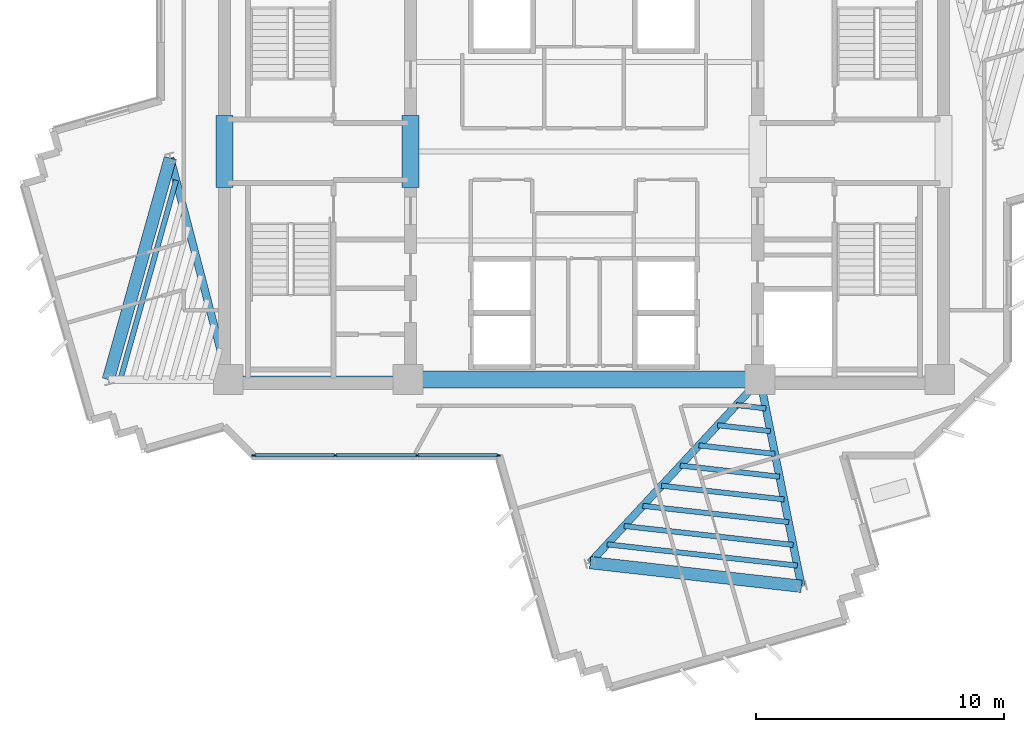
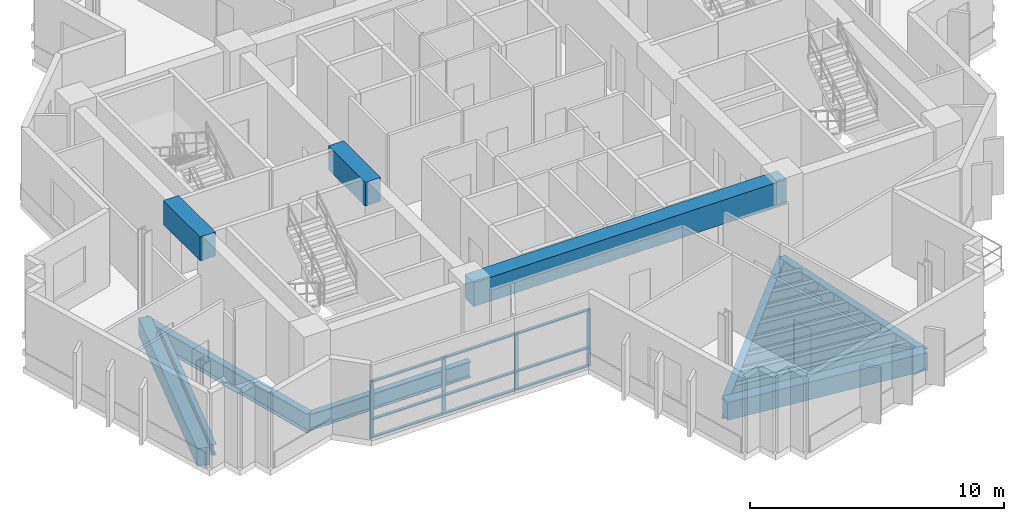
# One storey, part 2 of 14: 18 beams, 13 members, 1 element without a shape of its own.
"""IFC4 building model written with IfcOpenShell, lengths in metres."""

import ifcopenshell
import ifcopenshell.guid

model = None  # the IFC model being written
_history = None  # IfcOwnerHistory: only IFC2X3 demands one
_inside = {}  # id of a spatial element -> (the spatial element, [elements in it])
_under = {}  # id of a project, library or spatial element -> (it, [spatial elements below it])
_declared = {}  # id of a project -> (the project, [libraries it declares])
_typed = {}  # id of a type object -> (the type object, [elements of that type])
_made_of = {}  # id of a material, layer set ... -> (it, [elements and type objects made of it])


def new_model(schema):
    """Start an empty IFC model of exactly this schema.

    Asked for "IFC4X3", IfcOpenShell would pick the latest addendum, in which some entities
    have other attributes; the version numbers below select the first issue.
    IFC2X3 requires an IfcOwnerHistory on every rooted entity: one is made here for all.
    """
    global model, _history
    if schema == "IFC4X3":
        model = ifcopenshell.file(schema_version=(4, 3, 0, 0))
    else:
        model = ifcopenshell.file(schema=schema)
    _inside.clear()
    _under.clear()
    _declared.clear()
    _typed.clear()
    _made_of.clear()
    _history = None
    if model.schema == "IFC2X3":
        org = make("IfcOrganization", Name="unknown")
        user = make(
            "IfcPersonAndOrganization",
            ThePerson=make("IfcPerson", FamilyName="unknown"),
            TheOrganization=org,
        )
        app = make(
            "IfcApplication",
            ApplicationDeveloper=org,
            Version="unknown",
            ApplicationFullName="unknown",
            ApplicationIdentifier="unknown",
        )
        _history = make(
            "IfcOwnerHistory",
            OwningUser=user,
            OwningApplication=app,
            ChangeAction="ADDED",
            CreationDate=0,
        )
    return model


def make(cls, **values):
    """One entity of the class cls with the attributes given. An attribute that is None is left unset."""
    return model.create_entity(
        cls, **{name: value for name, value in values.items() if value is not None}
    )


def rooted(cls, **values):
    """An entity with a GlobalId (a new one), such as an element, a storey or a relation."""
    return make(cls, GlobalId=ifcopenshell.guid.new(), OwnerHistory=_history, **values)


def si_unit(unit_type, name, prefix=None):
    """IfcSIUnit, for example si_unit("LENGTHUNIT", "METRE", prefix="MILLI")."""
    return make("IfcSIUnit", UnitType=unit_type, Prefix=prefix, Name=name)


def assignment(units):
    """IfcUnitAssignment: the units of a project."""
    return None if units is None else make("IfcUnitAssignment", Units=units)


def point(xyz):
    """IfcCartesianPoint."""
    return None if xyz is None else make("IfcCartesianPoint", Coordinates=xyz)


def direction(xyz):
    """IfcDirection."""
    return None if xyz is None else make("IfcDirection", DirectionRatios=xyz)


def frame(location, z_axis=None, x_axis=None):
    """IfcAxis2Placement3D, a coordinate frame: its origin and axes. An axis left out is left unset."""
    return make(
        "IfcAxis2Placement3D",
        Location=point(location),
        Axis=direction(z_axis),
        RefDirection=direction(x_axis),
    )


def frame_2d(location, x_axis=None):
    """IfcAxis2Placement2D, a coordinate frame in the plane: its origin and x axis."""
    return make(
        "IfcAxis2Placement2D", Location=point(location), RefDirection=direction(x_axis)
    )


def origin():
    """The frame at (0, 0, 0) with its axes left unset."""
    return frame((0.0, 0.0, 0.0))


def origin_2d():
    """The frame at (0, 0) in the plane with its x axis left unset."""
    return frame_2d((0.0, 0.0))


def place(relative_to, where):
    """IfcLocalPlacement: puts the frame where relative to a parent placement (None: the world)."""
    return make(
        "IfcLocalPlacement", PlacementRelTo=relative_to, RelativePlacement=where
    )


def context(
    kind, dimensions, precision=None, world=None, true_north=None, identifier=None
):
    """IfcGeometricRepresentationContext, for example the 3D "Model" context."""
    return make(
        "IfcGeometricRepresentationContext",
        ContextIdentifier=identifier,
        ContextType=kind,
        CoordinateSpaceDimension=dimensions,
        Precision=precision,
        WorldCoordinateSystem=world,
        TrueNorth=true_north,
    )


def subcontext(parent, identifier, kind, view, scale=None):
    """IfcGeometricRepresentationSubContext, for example "Body" below "Model"."""
    return make(
        "IfcGeometricRepresentationSubContext",
        ContextIdentifier=identifier,
        ContextType=kind,
        ParentContext=parent,
        TargetScale=scale,
        TargetView=view,
    )


def project(units=None, contexts=None):
    """IfcProject with its units and contexts."""
    return rooted(
        "IfcProject",
        Name="project",
        RepresentationContexts=contexts,
        UnitsInContext=assignment(units),
    )


def spatial(cls, under=None, at=None, **own):
    """A site, building, storey or space (cls), placed at a placement, below another one or the project."""
    s = rooted(cls, ObjectPlacement=at, **own)
    if under is not None:
        _under.setdefault(under.id(), (under, []))[1].append(s)
    return s


def profile(cls, at=None, kind="AREA", **sizes):
    """A parametric profile (cls). Its sizes go by their IFC names, for example OverallWidth=200.0."""
    return make(cls, ProfileType=kind, Position=at, **sizes)


def rectangle(**sizes):
    """IfcRectangleProfileDef."""
    return profile("IfcRectangleProfileDef", **sizes)


def i_section(**sizes):
    """IfcIShapeProfileDef."""
    return profile("IfcIShapeProfileDef", **sizes)


def extrude(swept, where, along, depth):
    """IfcExtrudedAreaSolid: the profile swept, set in the frame where, extruded along a direction by depth."""
    return make(
        "IfcExtrudedAreaSolid",
        SweptArea=swept,
        Position=where,
        ExtrudedDirection=direction(along),
        Depth=depth,
    )


def shape(context_of_items, identifier, shape_type, items):
    """IfcShapeRepresentation: the items that make up one representation, for example the "Body"."""
    return make(
        "IfcShapeRepresentation",
        ContextOfItems=context_of_items,
        RepresentationIdentifier=identifier,
        RepresentationType=shape_type,
        Items=items,
    )


def source(mapping_origin, context_of_items, identifier, shape_type, items):
    """IfcRepresentationMap: a shape defined once, which mapped items show again and again."""
    return make(
        "IfcRepresentationMap",
        MappingOrigin=mapping_origin,
        MappedRepresentation=shape(context_of_items, identifier, shape_type, items),
    )


def transform(
    local_origin,
    x_axis=None,
    y_axis=None,
    z_axis=None,
    scale=None,
    scale2=None,
    scale3=None,
    uniform=True,
):
    """IfcCartesianTransformationOperator3D, or its non-uniform kind. x_axis, y_axis, z_axis: its Axis1, 2, 3."""
    if uniform:
        return make(
            "IfcCartesianTransformationOperator3D",
            Axis1=direction(x_axis),
            Axis2=direction(y_axis),
            LocalOrigin=point(local_origin),
            Scale=scale,
            Axis3=direction(z_axis),
        )
    return make(
        "IfcCartesianTransformationOperator3DnonUniform",
        Axis1=direction(x_axis),
        Axis2=direction(y_axis),
        LocalOrigin=point(local_origin),
        Scale=scale,
        Axis3=direction(z_axis),
        Scale2=scale2,
        Scale3=scale3,
    )


def mapped(mapping_source, mapping_target):
    """IfcMappedItem: shows the shape of a source again, moved by a transform."""
    return make(
        "IfcMappedItem", MappingSource=mapping_source, MappingTarget=mapping_target
    )


def material(Name=None, Category=None):
    """IfcMaterial."""
    return make("IfcMaterial", Name=Name, Category=Category)


def layer(
    of_material, thickness, ventilated=None, Name=None, Category=None, Priority=None
):
    """IfcMaterialLayer: one layer of a wall or slab, of a material (None: an air gap)."""
    return make(
        "IfcMaterialLayer",
        Material=of_material,
        LayerThickness=thickness,
        IsVentilated=ventilated,
        Name=Name,
        Category=Category,
        Priority=Priority,
    )


def layer_set(layers, Name=None):
    """IfcMaterialLayerSet."""
    return make("IfcMaterialLayerSet", MaterialLayers=layers, LayerSetName=Name)


def material_profile(
    of_material, cross_section, Name=None, Category=None, Priority=None
):
    """IfcMaterialProfile: a cross section and its material."""
    return make(
        "IfcMaterialProfile",
        Name=Name,
        Material=of_material,
        Profile=cross_section,
        Priority=Priority,
        Category=Category,
    )


def profile_set(profiles, Name=None, composite=None):
    """IfcMaterialProfileSet."""
    return make(
        "IfcMaterialProfileSet",
        Name=Name,
        MaterialProfiles=profiles,
        CompositeProfile=composite,
    )


def made_of(thing, what):
    """Note that an element or type object is made of a material, layer set ...; save() writes the relation."""
    if what is not None:
        _made_of.setdefault(what.id(), (what, []))[1].append(thing)
    return thing


def type_object(cls, material=None, **own):
    """A type object (cls), such as IfcWallType, which elements share."""
    return made_of(rooted(cls, **own), material)


def element(
    cls,
    number,
    at=None,
    inside=None,
    cuts=None,
    type_object=None,
    material=None,
    context=None,
    identifier="Body",
    shape_type=None,
    held_by="IfcProductDefinitionShape",
    body=None,
    shapes=None,
    **own,
):
    """One element of the class cls, such as IfcWall. Its Tag is "e" and its number.

    at: its placement. inside: the storey or other place that contains it. cuts: it is an
    opening in that element (IfcRelVoidsElement). A single representation is given by context,
    identifier, shape_type and body (its items); several are given by shapes. held_by: the class
    of the entity that holds the representations. save() writes the other relations.
    """
    e = rooted(cls, Tag="e%d" % number, ObjectPlacement=at, **own)
    if body is not None:
        shapes = [shape(context, identifier, shape_type, body)]
    if shapes is not None:
        e.Representation = make(held_by, Representations=shapes)
    if inside is not None:
        _inside.setdefault(inside.id(), (inside, []))[1].append(e)
    if cuts is not None:
        rooted(
            "IfcRelVoidsElement", RelatingBuildingElement=cuts, RelatedOpeningElement=e
        )
    if type_object is not None:
        _typed.setdefault(type_object.id(), (type_object, []))[1].append(e)
    return made_of(e, material)


def aggregate(whole, parts):
    """IfcRelAggregates: a whole, such as a stair, and the parts it consists of."""
    return rooted("IfcRelAggregates", RelatingObject=whole, RelatedObjects=parts)


def save(model, path):
    """Write the relations noted so far, then the file.

    IfcRelAggregates (storeys below a building ...), IfcRelContainedInSpatialStructure (elements
    in a storey), IfcRelDefinesByType, IfcRelAssociatesMaterial and IfcRelDeclares: one each for
    every whole, place, type object, material and project.
    """
    for whole, parts in _under.values():
        aggregate(whole, parts)
    for where, things in _inside.values():
        rooted(
            "IfcRelContainedInSpatialStructure",
            RelatedElements=things,
            RelatingStructure=where,
        )
    for kind, things in _typed.values():
        rooted("IfcRelDefinesByType", RelatedObjects=things, RelatingType=kind)
    for what, things in _made_of.values():
        rooted("IfcRelAssociatesMaterial", RelatedObjects=things, RelatingMaterial=what)
    for by, libraries in _declared.values():
        rooted("IfcRelDeclares", RelatingContext=by, RelatedDefinitions=libraries)
    model.write(path)


model = new_model("IFC4")

# Units and contexts
model_context = context("Model", 3, precision=1e-05, world=origin(), true_north=direction((0.0, 1.0)))
body_context = subcontext(model_context, "Body", "Model", "MODEL_VIEW")
ifc_project = project(units=[si_unit("LENGTHUNIT", "METRE"), si_unit("AREAUNIT", "SQUARE_METRE"), si_unit("VOLUMEUNIT", "CUBIC_METRE"), si_unit("PLANEANGLEUNIT", "RADIAN"), si_unit("MASSUNIT", "GRAM", prefix="KILO")], contexts=[model_context])

# Site, building, storey
site_placement = place(None, origin())
site = spatial("IfcSite", under=ifc_project, at=site_placement, CompositionType="ELEMENT")
building_placement = place(site_placement, origin())
building = spatial("IfcBuilding", under=site, at=building_placement, Name="Zahravan Cultural Tower", CompositionType="ELEMENT")
storey_placement = place(building_placement, frame((0.0, 0.0, 205.800048828125)))
storey = spatial("IfcBuildingStorey", under=building, at=storey_placement, Name="L48", CompositionType="ELEMENT", Elevation=205.800048828125)

# Beams
ifc_material_1 = material(Name="Concrete C50/60", Category="concrete")
ifc_material_profile_1 = material_profile(ifc_material_1, rectangle(XDim=0.699951171875, YDim=1.14990234375, at=origin_2d()), Name="RC700X1150")
ifc_profile_set_1 = profile_set([ifc_material_profile_1], Name="Concrete C50/60")
beam_type_1 = type_object("IfcBeamType", Name="BM-LN-RC700X1150", PredefinedType="LINTEL", material=ifc_profile_set_1)
shared_shape_1 = source(origin(), body_context, "Body", "SweptSolid", [
    extrude(rectangle(XDim=0.699951171875, YDim=1.14990234375, at=origin_2d()), origin(), (0.0, 0.0, 1.0), 14.2001953125),
])
beam_1_placement = place(storey_placement, frame((28.89990234375, 17.800048828125, 3.044921875), z_axis=(1.0, 0.0, 0.0), x_axis=(0.0, 1.0, 0.0)))
element("IfcBeam", 1, at=beam_1_placement, inside=storey, type_object=beam_type_1, Name="L48 Beam LN-L48-S", PredefinedType="LINTEL", context=body_context, shape_type="MappedRepresentation", body=[
    mapped(shared_shape_1, transform((0.0, 0.0, 0.0), x_axis=(1.0, 0.0, 0.0), y_axis=(0.0, 1.0, 0.0), z_axis=(0.0, 0.0, 1.0), scale=1.0)),
])
shared_shape_2 = source(origin(), body_context, "Body", "SweptSolid", [
    extrude(rectangle(XDim=0.699951171875, YDim=1.14990234375, at=origin_2d()), origin(), (0.0, 0.0, 1.0), 2.89990234375),
])
for number, where, z_axis, x_axis, name in (
    (2, (21.5, 25.550048828125, 3.044921875), (0.0, 1.0, 0.0), (-1.0, 0.0, 0.0), "L48 Beam LN-L48-PWW"),
    (3, (29.0, 25.550048828125, 3.044921875), (0.0, 1.0, 0.0), (-1.0, 0.0, 0.0), "L48 Beam LN-L48-PWE"),
):
    element("IfcBeam", number, at=place(storey_placement, frame(where, z_axis=z_axis, x_axis=x_axis)), inside=storey, type_object=beam_type_1, Name=name, PredefinedType="LINTEL", context=body_context, shape_type="MappedRepresentation", body=[
        mapped(shared_shape_2, transform((0.0, 0.0, 0.0), x_axis=(1.0, 0.0, 0.0), y_axis=(0.0, 1.0, 0.0), z_axis=(0.0, 0.0, 1.0), scale=1.0)),
    ])
ifc_material_2 = material(Name="Steel ASTM A992 Grade 50", Category="steel")
ifc_material_profile_2 = material_profile(ifc_material_2, i_section(OverallWidth=0.26611328125, OverallDepth=0.780029296875, WebThickness=0.0166015625, FlangeThickness=0.030029296875, FilletRadius=0.01904296875, at=origin_2d()), Name="W30X148")
ifc_profile_set_2 = profile_set([ifc_material_profile_2], Name="Steel ASTM A992 Grade 50")
beam_type_2 = type_object("IfcBeamType", Name="BM-G-W30X148", PredefinedType="BEAM", material=ifc_profile_set_2)
shared_shape_3 = source(origin(), body_context, "Body", "SweptSolid", [
    extrude(i_section(OverallWidth=0.26611328125, OverallDepth=0.780029296875, WebThickness=0.0166015625, FlangeThickness=0.030029296875, FilletRadius=0.01904296875, at=origin_2d()), origin(), (0.0, 0.0, 1.0), 7.25),
])
beam_2_placement = place(storey_placement, frame((21.64990234375, 17.800048828125, -0.670166015625), z_axis=(1.0, 0.0, 0.0), x_axis=(0.0, 1.0, 0.0)))
element("IfcBeam", 4, at=beam_2_placement, inside=storey, type_object=beam_type_2, Name="L48 Beam BG-L48-01", PredefinedType="BEAM", context=body_context, shape_type="MappedRepresentation", body=[
    mapped(shared_shape_3, transform((0.0, 0.0, 0.0), x_axis=(1.0, 0.0, 0.0), y_axis=(0.0, 1.0, 0.0), z_axis=(0.0, 0.0, 1.0), scale=1.0)),
])
ifc_material_profile_3 = material_profile(ifc_material_2, i_section(OverallWidth=0.304931640625, OverallDepth=0.9189453125, WebThickness=0.017333984375, FlangeThickness=0.02783203125, FilletRadius=0.02392578125, at=origin_2d()), Name="W36X170")
ifc_profile_set_3 = profile_set([ifc_material_profile_3], Name="Steel ASTM A992 Grade 50")
beam_type_3 = type_object("IfcBeamType", Name="BM-G-W36X170", PredefinedType="BEAM", material=ifc_profile_set_3)
shared_shape_4 = source(origin(), body_context, "Body", "SweptSolid", [
    extrude(i_section(OverallWidth=0.304931640625, OverallDepth=0.9189453125, WebThickness=0.017333984375, FlangeThickness=0.02783203125, FilletRadius=0.02392578125, at=origin_2d()), origin(), (0.0, 0.0, 1.0), 9.22900390625),
])
beam_3_placement = place(storey_placement, frame((21.64990234375, 17.800048828125, -0.739501953125), z_axis=(-0.252922608408, 0.967486513682, 0.0), x_axis=(-0.967486513682, -0.252922608408, 0.0)))
element("IfcBeam", 5, at=beam_3_placement, inside=storey, type_object=beam_type_3, Name="L48 Beam BG-L48-07", PredefinedType="BEAM", context=body_context, shape_type="MappedRepresentation", body=[
    mapped(shared_shape_4, transform((0.0, 0.0, 0.0), x_axis=(1.0, 0.0, 0.0), y_axis=(0.0, 1.0, 0.0), z_axis=(0.0, 0.0, 1.0), scale=1.0)),
])
shared_shape_5 = source(origin(), body_context, "Body", "SweptSolid", [
    extrude(i_section(OverallWidth=0.304931640625, OverallDepth=0.9189453125, WebThickness=0.017333984375, FlangeThickness=0.02783203125, FilletRadius=0.02392578125, at=origin_2d()), origin(), (0.0, 0.0, 1.0), 10.077880859375),
])
beam_4_placement = place(storey_placement, frame((43.10009765625, 17.800048828125, -0.739501953125), z_axis=(-0.680170435587, -0.733054007938, 0.0), x_axis=(0.733054007938, -0.680170435587, 0.0)))
element("IfcBeam", 6, at=beam_4_placement, inside=storey, type_object=beam_type_3, Name="L48 Beam BG-L48-09", PredefinedType="BEAM", context=body_context, shape_type="MappedRepresentation", body=[
    mapped(shared_shape_5, transform((0.0, 0.0, 0.0), x_axis=(1.0, 0.0, 0.0), y_axis=(0.0, 1.0, 0.0), z_axis=(0.0, 0.0, 1.0), scale=1.0)),
])
shared_shape_6 = source(origin(), body_context, "Body", "SweptSolid", [
    extrude(i_section(OverallWidth=0.304931640625, OverallDepth=0.9189453125, WebThickness=0.017333984375, FlangeThickness=0.02783203125, FilletRadius=0.02392578125, at=origin_2d()), origin(), (0.0, 0.0, 1.0), 8.50732421875),
])
beam_5_placement = place(storey_placement, frame((43.10009765625, 17.800048828125, -0.739501953125), z_axis=(0.196524514012, -0.980498911469, 0.0), x_axis=(0.980498911469, 0.196524514012, 0.0)))
element("IfcBeam", 7, at=beam_5_placement, inside=storey, type_object=beam_type_3, Name="L48 Beam BG-L48-10", PredefinedType="BEAM", context=body_context, shape_type="MappedRepresentation", body=[
    mapped(shared_shape_6, transform((0.0, 0.0, 0.0), x_axis=(1.0, 0.0, 0.0), y_axis=(0.0, 1.0, 0.0), z_axis=(0.0, 0.0, 1.0), scale=1.0)),
])
ifc_material_profile_4 = material_profile(ifc_material_1, rectangle(XDim=0.5, YDim=0.85009765625, at=origin_2d()), Name="RC500X850")
ifc_profile_set_4 = profile_set([ifc_material_profile_4], Name="Concrete C50/60")
beam_type_4 = type_object("IfcBeamType", Name="BM-SP-RC500X850", PredefinedType="SPANDREL", material=ifc_profile_set_4)
shared_shape_7 = source(origin(), body_context, "Body", "SweptSolid", [
    extrude(rectangle(XDim=0.5, YDim=0.85009765625, at=origin_2d()), origin(), (0.0, 0.0, 1.0), 9.2783203125),
])
beam_6_placement = place(storey_placement, frame((19.315673828125, 26.72900390625, -0.705078125), z_axis=(-0.269497187032, -0.963001176625, 0.0), x_axis=(0.963001176625, -0.269497187032, 0.0)))
element("IfcBeam", 8, at=beam_6_placement, inside=storey, type_object=beam_type_4, Name="L48 Beam SP-L48-15", PredefinedType="SPANDREL", context=body_context, shape_type="MappedRepresentation", body=[
    mapped(shared_shape_7, transform((0.0, 0.0, 0.0), x_axis=(1.0, 0.0, 0.0), y_axis=(0.0, 1.0, 0.0), z_axis=(0.0, 0.0, 1.0), scale=1.0)),
])
shared_shape_8 = source(origin(), body_context, "Body", "SweptSolid", [
    extrude(rectangle(XDim=0.5, YDim=0.85009765625, at=origin_2d()), origin(), (0.0, 0.0, 1.0), 8.579833984375),
])
beam_7_placement = place(storey_placement, frame((36.245361328125, 10.412353515625, -0.705078125), z_axis=(0.9938040105, -0.11114669907, 0.0), x_axis=(0.11114669907, 0.9938040105, 0.0)))
element("IfcBeam", 9, at=beam_7_placement, inside=storey, type_object=beam_type_4, Name="L48 Beam SP-L48-16", PredefinedType="SPANDREL", context=body_context, shape_type="MappedRepresentation", body=[
    mapped(shared_shape_8, transform((0.0, 0.0, 0.0), x_axis=(1.0, 0.0, 0.0), y_axis=(0.0, 1.0, 0.0), z_axis=(0.0, 0.0, 1.0), scale=1.0)),
])
ifc_material_profile_5 = material_profile(ifc_material_2, i_section(OverallWidth=0.2099609375, OverallDepth=0.532958984375, WebThickness=0.01025390625, FlangeThickness=0.015625, FilletRadius=0.013916015625, at=origin_2d()), Name="W21X62")
ifc_profile_set_5 = profile_set([ifc_material_profile_5], Name="Steel ASTM A992 Grade 50")
beam_type_5 = type_object("IfcBeamType", Name="BM-J-W21X62", PredefinedType="JOIST", material=ifc_profile_set_5)
shared_shape_9 = source(origin(), body_context, "Body", "SweptSolid", [
    extrude(i_section(OverallWidth=0.2099609375, OverallDepth=0.532958984375, WebThickness=0.01025390625, FlangeThickness=0.015625, FilletRadius=0.013916015625, at=origin_2d()), origin(), (0.0, 0.0, 1.0), 8.350830078125),
])
beam_8_placement = place(storey_placement, frame((19.549072265625, 25.836181640625, -0.546630859375), z_axis=(-0.269496539555, -0.963001357822, 0.0), x_axis=(0.963001357822, -0.269496539555, 0.0)))
element("IfcBeam", 10, at=beam_8_placement, inside=storey, type_object=beam_type_5, Name="L48 Beam BJ-L48-29", PredefinedType="JOIST", context=body_context, shape_type="MappedRepresentation", body=[
    mapped(shared_shape_9, transform((0.0, 0.0, 0.0), x_axis=(1.0, 0.0, 0.0), y_axis=(0.0, 1.0, 0.0), z_axis=(0.0, 0.0, 1.0), scale=1.0)),
])
shared_shape_10 = source(origin(), body_context, "Body", "SweptSolid", [
    extrude(i_section(OverallWidth=0.2099609375, OverallDepth=0.532958984375, WebThickness=0.01025390625, FlangeThickness=0.015625, FilletRadius=0.013916015625, at=origin_2d()), origin(), (0.0, 0.0, 1.0), 1.201171875),
])
beam_9_placement = place(storey_placement, frame((42.140380859375, 16.765625, -0.546630859375), z_axis=(0.99379916149, -0.111190047317, 0.0), x_axis=(0.111190047317, 0.99379916149, 0.0)))
element("IfcBeam", 11, at=beam_9_placement, inside=storey, type_object=beam_type_5, Name="L48 Beam BJ-L48-30", PredefinedType="JOIST", context=body_context, shape_type="MappedRepresentation", body=[
    mapped(shared_shape_10, transform((0.0, 0.0, 0.0), x_axis=(1.0, 0.0, 0.0), y_axis=(0.0, 1.0, 0.0), z_axis=(0.0, 0.0, 1.0), scale=1.0)),
])
shared_shape_11 = source(origin(), body_context, "Body", "SweptSolid", [
    extrude(i_section(OverallWidth=0.2099609375, OverallDepth=0.532958984375, WebThickness=0.01025390625, FlangeThickness=0.015625, FilletRadius=0.013916015625, at=origin_2d()), origin(), (0.0, 0.0, 1.0), 2.144775390625),
])
beam_10_placement = place(storey_placement, frame((41.386474609375, 15.953125, -0.546630859375), z_axis=(0.993797370806, -0.111206051, 0.0), x_axis=(0.111206051, 0.993797370806, 0.0)))
element("IfcBeam", 12, at=beam_10_placement, inside=storey, type_object=beam_type_5, Name="L48 Beam BJ-L48-31", PredefinedType="JOIST", context=body_context, shape_type="MappedRepresentation", body=[
    mapped(shared_shape_11, transform((0.0, 0.0, 0.0), x_axis=(1.0, 0.0, 0.0), y_axis=(0.0, 1.0, 0.0), z_axis=(0.0, 0.0, 1.0), scale=1.0)),
])
shared_shape_12 = source(origin(), body_context, "Body", "SweptSolid", [
    extrude(i_section(OverallWidth=0.2099609375, OverallDepth=0.532958984375, WebThickness=0.01025390625, FlangeThickness=0.015625, FilletRadius=0.013916015625, at=origin_2d()), origin(), (0.0, 0.0, 1.0), 3.088623046875),
])
beam_11_placement = place(storey_placement, frame((40.63232421875, 15.140380859375, -0.546630859375), z_axis=(0.993805407368, -0.111134208443, 0.0), x_axis=(0.111134208443, 0.993805407368, 0.0)))
element("IfcBeam", 13, at=beam_11_placement, inside=storey, type_object=beam_type_5, Name="L48 Beam BJ-L48-32", PredefinedType="JOIST", context=body_context, shape_type="MappedRepresentation", body=[
    mapped(shared_shape_12, transform((0.0, 0.0, 0.0), x_axis=(1.0, 0.0, 0.0), y_axis=(0.0, 1.0, 0.0), z_axis=(0.0, 0.0, 1.0), scale=1.0)),
])
shared_shape_13 = source(origin(), body_context, "Body", "SweptSolid", [
    extrude(i_section(OverallWidth=0.2099609375, OverallDepth=0.532958984375, WebThickness=0.01025390625, FlangeThickness=0.015625, FilletRadius=0.013916015625, at=origin_2d()), origin(), (0.0, 0.0, 1.0), 4.0322265625),
])
beam_12_placement = place(storey_placement, frame((39.87841796875, 14.327880859375, -0.546630859375), z_axis=(0.993802245601, -0.11116247855, 0.0), x_axis=(0.11116247855, 0.993802245601, 0.0)))
element("IfcBeam", 14, at=beam_12_placement, inside=storey, type_object=beam_type_5, Name="L48 Beam BJ-L48-33", PredefinedType="JOIST", context=body_context, shape_type="MappedRepresentation", body=[
    mapped(shared_shape_13, transform((0.0, 0.0, 0.0), x_axis=(1.0, 0.0, 0.0), y_axis=(0.0, 1.0, 0.0), z_axis=(0.0, 0.0, 1.0), scale=1.0)),
])
shared_shape_14 = source(origin(), body_context, "Body", "SweptSolid", [
    extrude(i_section(OverallWidth=0.2099609375, OverallDepth=0.532958984375, WebThickness=0.01025390625, FlangeThickness=0.015625, FilletRadius=0.013916015625, at=origin_2d()), origin(), (0.0, 0.0, 1.0), 4.97607421875),
])
beam_13_placement = place(storey_placement, frame((39.124267578125, 13.51513671875, -0.546630859375), z_axis=(0.993806308517, -0.111126149723, 0.0), x_axis=(0.111126149723, 0.993806308517, 0.0)))
element("IfcBeam", 15, at=beam_13_placement, inside=storey, type_object=beam_type_5, Name="L48 Beam BJ-L48-34", PredefinedType="JOIST", context=body_context, shape_type="MappedRepresentation", body=[
    mapped(shared_shape_14, transform((0.0, 0.0, 0.0), x_axis=(1.0, 0.0, 0.0), y_axis=(0.0, 1.0, 0.0), z_axis=(0.0, 0.0, 1.0), scale=1.0)),
])
shared_shape_15 = source(origin(), body_context, "Body", "SweptSolid", [
    extrude(i_section(OverallWidth=0.2099609375, OverallDepth=0.532958984375, WebThickness=0.01025390625, FlangeThickness=0.015625, FilletRadius=0.013916015625, at=origin_2d()), origin(), (0.0, 0.0, 1.0), 5.919921875),
])
beam_14_placement = place(storey_placement, frame((38.370361328125, 12.70263671875, -0.546630859375), z_axis=(0.993804520866, -0.111142135602, 0.0), x_axis=(0.111142135602, 0.993804520866, 0.0)))
element("IfcBeam", 16, at=beam_14_placement, inside=storey, type_object=beam_type_5, Name="L48 Beam BJ-L48-35", PredefinedType="JOIST", context=body_context, shape_type="MappedRepresentation", body=[
    mapped(shared_shape_15, transform((0.0, 0.0, 0.0), x_axis=(1.0, 0.0, 0.0), y_axis=(0.0, 1.0, 0.0), z_axis=(0.0, 0.0, 1.0), scale=1.0)),
])
shared_shape_16 = source(origin(), body_context, "Body", "SweptSolid", [
    extrude(i_section(OverallWidth=0.2099609375, OverallDepth=0.532958984375, WebThickness=0.01025390625, FlangeThickness=0.015625, FilletRadius=0.013916015625, at=origin_2d()), origin(), (0.0, 0.0, 1.0), 6.86376953125),
])
beam_15_placement = place(storey_placement, frame((37.6162109375, 11.889892578125, -0.546630859375), z_axis=(0.993803224695, -0.111153725024, 0.0), x_axis=(0.111153725024, 0.993803224695, 0.0)))
element("IfcBeam", 17, at=beam_15_placement, inside=storey, type_object=beam_type_5, Name="L48 Beam BJ-L48-36", PredefinedType="JOIST", context=body_context, shape_type="MappedRepresentation", body=[
    mapped(shared_shape_16, transform((0.0, 0.0, 0.0), x_axis=(1.0, 0.0, 0.0), y_axis=(0.0, 1.0, 0.0), z_axis=(0.0, 0.0, 1.0), scale=1.0)),
])
shared_shape_17 = source(origin(), body_context, "Body", "SweptSolid", [
    extrude(i_section(OverallWidth=0.2099609375, OverallDepth=0.532958984375, WebThickness=0.01025390625, FlangeThickness=0.015625, FilletRadius=0.013916015625, at=origin_2d()), origin(), (0.0, 0.0, 1.0), 7.7216796875),
])
beam_16_placement = place(storey_placement, frame((36.930908203125, 11.151123046875, -0.546630859375), z_axis=(0.993805212115, -0.11113595446, 0.0), x_axis=(0.11113595446, 0.993805212115, 0.0)))
element("IfcBeam", 18, at=beam_16_placement, inside=storey, type_object=beam_type_5, Name="L48 Beam BJ-L48-37", PredefinedType="JOIST", context=body_context, shape_type="MappedRepresentation", body=[
    mapped(shared_shape_17, transform((0.0, 0.0, 0.0), x_axis=(1.0, 0.0, 0.0), y_axis=(0.0, 1.0, 0.0), z_axis=(0.0, 0.0, 1.0), scale=1.0)),
])

# Curtain wall, members
ifc_material_3 = material(Name="Anodised bronze-aluminium mullion", Category="aluminium")
ifc_layer = layer(ifc_material_3, 0.1650390625)
ifc_layer_set = layer_set([ifc_layer], Name="Anodised bronze-aluminium mullion")
curtain_wall_type = type_object("IfcCurtainWallType", Name="CW-SYS-4", PredefinedType="USERDEFINED", material=ifc_layer_set)
curtain_wall_placement = place(storey_placement, origin())
curtain_wall = element("IfcCurtainWall", 19, at=curtain_wall_placement, inside=storey, type_object=curtain_wall_type, Name="L48 Recessed Curtain Wall CW-4.1", ObjectType="RECESSED GLAZING", PredefinedType="USERDEFINED")
ifc_material_profile_6 = material_profile(ifc_material_3, rectangle(XDim=0.06494140625, YDim=0.1650390625, at=origin_2d()), Name="AL-M65X165")
ifc_profile_set_6 = profile_set([ifc_material_profile_6], Name="Anodised bronze-aluminium mullion")
member_type_1 = type_object("IfcMemberType", Name="CWM-CW-4", PredefinedType="MULLION", material=ifc_profile_set_6)
shared_shape_18 = source(origin(), body_context, "Body", "SweptSolid", [
    extrude(rectangle(XDim=0.06494140625, YDim=0.1650390625, at=origin_2d()), origin(), (0.0, 0.0, 1.0), 2.739990234375),
])
member_1_placement = place(storey_placement, frame((32.546875, 14.739990234375, 0.0), z_axis=(0.0, 0.0, 1.0), x_axis=(0.0, -1.0, 0.0)))
member_1 = element("IfcMember", 20, at=member_1_placement, type_object=member_type_1, Name="CW-4 mullion 1", PredefinedType="MULLION", context=body_context, shape_type="MappedRepresentation", body=[
    mapped(shared_shape_18, transform((0.0, 0.0, 0.0), x_axis=(1.0, 0.0, 0.0), y_axis=(0.0, 1.0, 0.0), z_axis=(0.0, 0.0, 1.0), scale=1.0)),
])
member_2_placement = place(storey_placement, frame((29.272216796875, 14.739990234375, 0.0), z_axis=(0.0, 0.0, 1.0), x_axis=(0.0, -1.0, 0.0)))
member_2 = element("IfcMember", 21, at=member_2_placement, type_object=member_type_1, Name="CW-4 mullion 2", PredefinedType="MULLION", context=body_context, shape_type="MappedRepresentation", body=[
    mapped(shared_shape_18, transform((0.0, 0.0, 0.0), x_axis=(1.0, 0.0, 0.0), y_axis=(0.0, 1.0, 0.0), z_axis=(0.0, 0.0, 1.0), scale=1.0)),
])
member_3_placement = place(storey_placement, frame((25.965087890625, 14.739990234375, 0.0), z_axis=(0.0, 0.0, 1.0), x_axis=(0.0, -1.0, 0.0)))
member_3 = element("IfcMember", 22, at=member_3_placement, type_object=member_type_1, Name="CW-4 mullion 3", PredefinedType="MULLION", context=body_context, shape_type="MappedRepresentation", body=[
    mapped(shared_shape_18, transform((0.0, 0.0, 0.0), x_axis=(1.0, 0.0, 0.0), y_axis=(0.0, 1.0, 0.0), z_axis=(0.0, 0.0, 1.0), scale=1.0)),
])
member_4_placement = place(storey_placement, frame((22.6904296875, 14.739990234375, 0.0), z_axis=(0.0, 0.0, 1.0), x_axis=(0.0, -1.0, 0.0)))
member_4 = element("IfcMember", 23, at=member_4_placement, type_object=member_type_1, Name="CW-4 mullion 4", PredefinedType="MULLION", context=body_context, shape_type="MappedRepresentation", body=[
    mapped(shared_shape_18, transform((0.0, 0.0, 0.0), x_axis=(1.0, 0.0, 0.0), y_axis=(0.0, 1.0, 0.0), z_axis=(0.0, 0.0, 1.0), scale=1.0)),
])
ifc_material_profile_7 = material_profile(ifc_material_3, rectangle(XDim=0.1298828125, YDim=0.06494140625, at=origin_2d()), Name="AL-T65X130")
ifc_profile_set_7 = profile_set([ifc_material_profile_7], Name="Anodised bronze-aluminium mullion")
member_type_2 = type_object("IfcMemberType", Name="CWT-CW-4", PredefinedType="USERDEFINED", material=ifc_profile_set_7)
shared_shape_19 = source(origin(), body_context, "Body", "SweptSolid", [
    extrude(rectangle(XDim=0.1298828125, YDim=0.06494140625, at=origin_2d()), origin(), (0.0, 0.0, 1.0), 3.209716796875),
])
member_5_placement = place(storey_placement, frame((32.514404296875, 14.739990234375, 0.032470703125), z_axis=(-1.0, 0.0, 0.0), x_axis=(0.0, -1.0, 0.0)))
member_5 = element("IfcMember", 24, at=member_5_placement, type_object=member_type_2, Name="CW-4 transom 1.1", ObjectType="TRANSOM", PredefinedType="USERDEFINED", context=body_context, shape_type="MappedRepresentation", body=[
    mapped(shared_shape_19, transform((0.0, 0.0, 0.0), x_axis=(1.0, 0.0, 0.0), y_axis=(0.0, 1.0, 0.0), z_axis=(0.0, 0.0, 1.0), scale=1.0)),
])
member_6_placement = place(storey_placement, frame((32.514404296875, 14.739990234375, 0.89990234375), z_axis=(-1.0, 0.0, 0.0), x_axis=(0.0, -1.0, 0.0)))
member_6 = element("IfcMember", 25, at=member_6_placement, type_object=member_type_2, Name="CW-4 transom 1.2", ObjectType="TRANSOM", PredefinedType="USERDEFINED", context=body_context, shape_type="MappedRepresentation", body=[
    mapped(shared_shape_19, transform((0.0, 0.0, 0.0), x_axis=(1.0, 0.0, 0.0), y_axis=(0.0, 1.0, 0.0), z_axis=(0.0, 0.0, 1.0), scale=1.0)),
])
member_7_placement = place(storey_placement, frame((32.514404296875, 14.739990234375, 2.70751953125), z_axis=(-1.0, 0.0, 0.0), x_axis=(0.0, -1.0, 0.0)))
member_7 = element("IfcMember", 26, at=member_7_placement, type_object=member_type_2, Name="CW-4 transom 1.3", ObjectType="TRANSOM", PredefinedType="USERDEFINED", context=body_context, shape_type="MappedRepresentation", body=[
    mapped(shared_shape_19, transform((0.0, 0.0, 0.0), x_axis=(1.0, 0.0, 0.0), y_axis=(0.0, 1.0, 0.0), z_axis=(0.0, 0.0, 1.0), scale=1.0)),
])
member_8_placement = place(storey_placement, frame((25.9326171875, 14.739990234375, 0.032470703125), z_axis=(-1.0, 0.0, 0.0), x_axis=(0.0, -1.0, 0.0)))
member_8 = element("IfcMember", 27, at=member_8_placement, type_object=member_type_2, Name="CW-4 transom 3.1", ObjectType="TRANSOM", PredefinedType="USERDEFINED", context=body_context, shape_type="MappedRepresentation", body=[
    mapped(shared_shape_19, transform((0.0, 0.0, 0.0), x_axis=(1.0, 0.0, 0.0), y_axis=(0.0, 1.0, 0.0), z_axis=(0.0, 0.0, 1.0), scale=1.0)),
])
member_9_placement = place(storey_placement, frame((25.9326171875, 14.739990234375, 0.89990234375), z_axis=(-1.0, 0.0, 0.0), x_axis=(0.0, -1.0, 0.0)))
member_9 = element("IfcMember", 28, at=member_9_placement, type_object=member_type_2, Name="CW-4 transom 3.2", ObjectType="TRANSOM", PredefinedType="USERDEFINED", context=body_context, shape_type="MappedRepresentation", body=[
    mapped(shared_shape_19, transform((0.0, 0.0, 0.0), x_axis=(1.0, 0.0, 0.0), y_axis=(0.0, 1.0, 0.0), z_axis=(0.0, 0.0, 1.0), scale=1.0)),
])
member_10_placement = place(storey_placement, frame((25.9326171875, 14.739990234375, 2.70751953125), z_axis=(-1.0, 0.0, 0.0), x_axis=(0.0, -1.0, 0.0)))
member_10 = element("IfcMember", 29, at=member_10_placement, type_object=member_type_2, Name="CW-4 transom 3.3", ObjectType="TRANSOM", PredefinedType="USERDEFINED", context=body_context, shape_type="MappedRepresentation", body=[
    mapped(shared_shape_19, transform((0.0, 0.0, 0.0), x_axis=(1.0, 0.0, 0.0), y_axis=(0.0, 1.0, 0.0), z_axis=(0.0, 0.0, 1.0), scale=1.0)),
])
shared_shape_20 = source(origin(), body_context, "Body", "SweptSolid", [
    extrude(rectangle(XDim=0.1298828125, YDim=0.06494140625, at=origin_2d()), origin(), (0.0, 0.0, 1.0), 3.2421875),
])
member_11_placement = place(storey_placement, frame((29.23974609375, 14.739990234375, 0.032470703125), z_axis=(-1.0, 0.0, 0.0), x_axis=(0.0, -1.0, 0.0)))
member_11 = element("IfcMember", 30, at=member_11_placement, type_object=member_type_2, Name="CW-4 transom 2.1", ObjectType="TRANSOM", PredefinedType="USERDEFINED", context=body_context, shape_type="MappedRepresentation", body=[
    mapped(shared_shape_20, transform((0.0, 0.0, 0.0), x_axis=(1.0, 0.0, 0.0), y_axis=(0.0, 1.0, 0.0), z_axis=(0.0, 0.0, 1.0), scale=1.0)),
])
member_12_placement = place(storey_placement, frame((29.23974609375, 14.739990234375, 0.89990234375), z_axis=(-1.0, 0.0, 0.0), x_axis=(0.0, -1.0, 0.0)))
member_12 = element("IfcMember", 31, at=member_12_placement, type_object=member_type_2, Name="CW-4 transom 2.2", ObjectType="TRANSOM", PredefinedType="USERDEFINED", context=body_context, shape_type="MappedRepresentation", body=[
    mapped(shared_shape_20, transform((0.0, 0.0, 0.0), x_axis=(1.0, 0.0, 0.0), y_axis=(0.0, 1.0, 0.0), z_axis=(0.0, 0.0, 1.0), scale=1.0)),
])
member_13_placement = place(storey_placement, frame((29.23974609375, 14.739990234375, 2.70751953125), z_axis=(-1.0, 0.0, 0.0), x_axis=(0.0, -1.0, 0.0)))
member_13 = element("IfcMember", 32, at=member_13_placement, type_object=member_type_2, Name="CW-4 transom 2.3", ObjectType="TRANSOM", PredefinedType="USERDEFINED", context=body_context, shape_type="MappedRepresentation", body=[
    mapped(shared_shape_20, transform((0.0, 0.0, 0.0), x_axis=(1.0, 0.0, 0.0), y_axis=(0.0, 1.0, 0.0), z_axis=(0.0, 0.0, 1.0), scale=1.0)),
])
aggregate(curtain_wall, [member_1, member_2, member_3, member_4, member_5, member_6, member_7, member_11, member_12, member_13, member_8, member_9, member_10])

save(model, "model.ifc")
